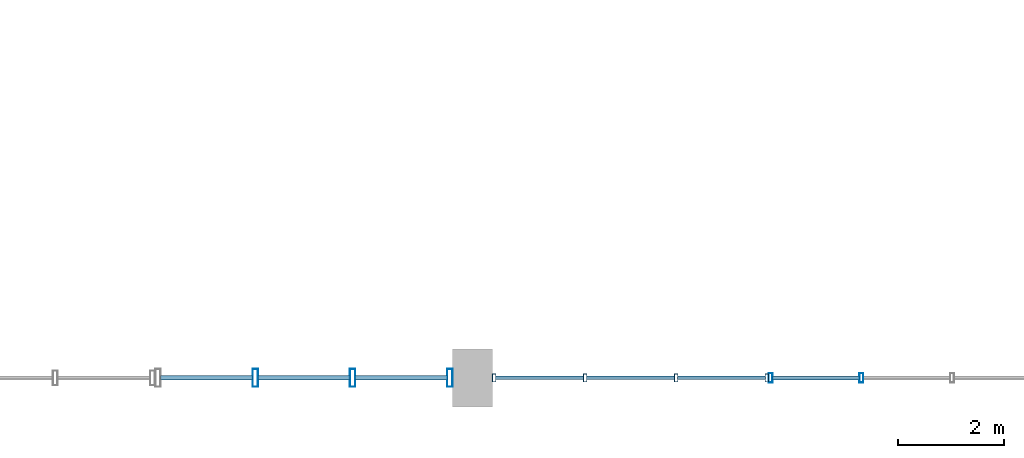
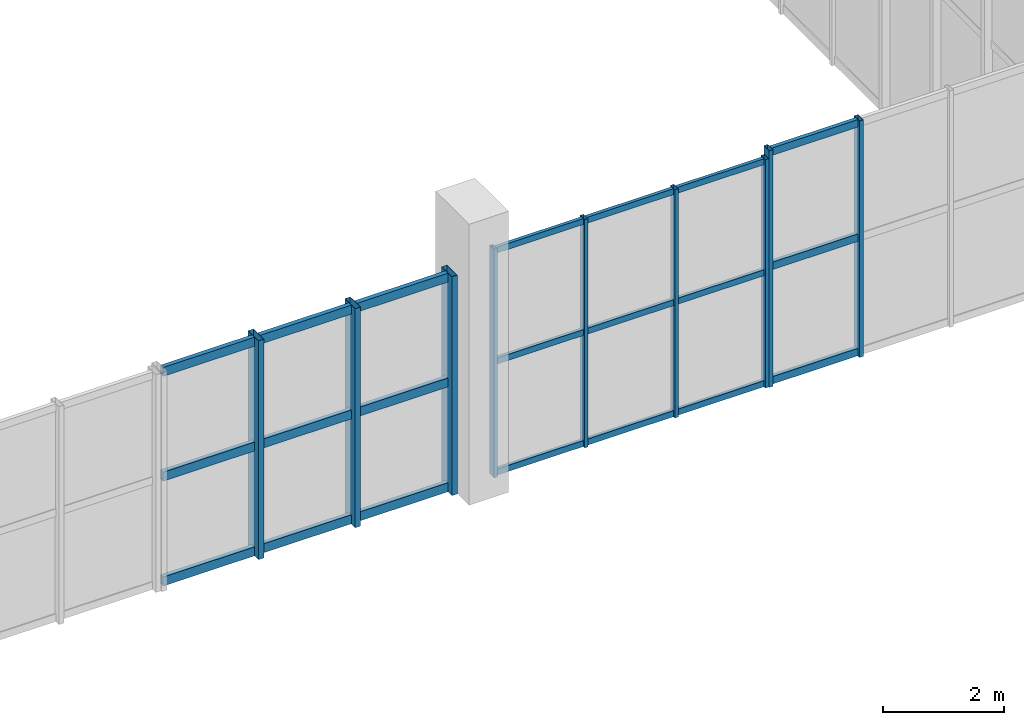
# One storey, part 10 of 28: 30 members, 3 elements without a shape of their own.
"""IFC4 building model written with IfcOpenShell, lengths in metres."""

from ifc_helpers import new_model, si_unit, direction, frame, origin, origin_2d, place, context, subcontext, project, spatial, hollow_rectangle, extrude, material, layer, layer_set, material_profile, profile_set, type_object, element, aggregate, save


model = new_model("IFC4")

# Units and contexts
model_context = context("Model", 3, precision=1e-05, world=origin(), true_north=direction((0.0, 1.0)))
body_context = subcontext(model_context, "Body", "Model", "MODEL_VIEW")
ifc_project = project(units=[si_unit("LENGTHUNIT", "METRE"), si_unit("AREAUNIT", "SQUARE_METRE"), si_unit("VOLUMEUNIT", "CUBIC_METRE"), si_unit("PLANEANGLEUNIT", "RADIAN"), si_unit("MASSUNIT", "GRAM", prefix="KILO"), si_unit("POWERUNIT", "WATT"), si_unit("THERMODYNAMICTEMPERATUREUNIT", "KELVIN")], contexts=[model_context])

# Site, building, storey
site_placement = place(None, origin())
site = spatial("IfcSite", under=ifc_project, at=site_placement, CompositionType="ELEMENT")
building_placement = place(site_placement, origin())
building = spatial("IfcBuilding", under=site, at=building_placement, Name="Kelmbourne Parkland Aquatics Centre", CompositionType="ELEMENT")
storey_placement = place(building_placement, frame((0.0, 0.0, 19.199951171875)))
storey = spatial("IfcBuildingStorey", under=building, at=storey_placement, Name="L04", CompositionType="ELEMENT", Elevation=19.199951171875)

# Curtain wall, members
ifc_material = material(Name="Thermally broken anodised aluminium framing", Category="aluminium")
ifc_layer_1 = layer(ifc_material, 0.179931640625)
ifc_layer_set_1 = layer_set([ifc_layer_1], Name="Thermally broken anodised aluminium framing")
curtain_wall_type_1 = type_object("IfcCurtainWallType", Name="CW-15", PredefinedType="NOTDEFINED", material=ifc_layer_set_1)
curtain_wall_1_placement = place(storey_placement, origin())
curtain_wall_1 = element("IfcCurtainWall", 1, at=curtain_wall_1_placement, inside=storey, type_object=curtain_wall_type_1, Name="Wave-hall clerestory curtain wall CW-L04-135", PredefinedType="NOTDEFINED")
ifc_material_profile_1 = material_profile(ifc_material, hollow_rectangle(XDim=0.06494140625, YDim=0.14990234375, WallThickness=0.00390625, at=origin_2d()), Name="CW-M 65x150")
ifc_profile_set_1 = profile_set([ifc_material_profile_1], Name="Thermally broken anodised aluminium framing")
member_type_1 = type_object("IfcMemberType", Name="MB-MUL-1", PredefinedType="MULLION", material=ifc_profile_set_1)
member_1_placement = place(storey_placement, frame((164.409423828125, 0.800048828125, 0.0), z_axis=(0.0, 0.0, 1.0), x_axis=(1.0, 0.0, 0.0)))
member_1 = element("IfcMember", 2, at=member_1_placement, type_object=member_type_1, Name="CW-L04-135 mullion 0", PredefinedType="MULLION", context=body_context, shape_type="SweptSolid", body=[
    extrude(hollow_rectangle(XDim=0.06494140625, YDim=0.14990234375, WallThickness=0.00390625, at=origin_2d()), origin(), (0.0, 0.0, 1.0), 4.589599609375),
])
member_2_placement = place(storey_placement, frame((166.12890625, 0.800048828125, 0.0), z_axis=(0.0, 0.0, 1.0), x_axis=(1.0, 0.0, 0.0)))
member_2 = element("IfcMember", 3, at=member_2_placement, type_object=member_type_1, Name="CW-L04-135 mullion 1", PredefinedType="MULLION", context=body_context, shape_type="SweptSolid", body=[
    extrude(hollow_rectangle(XDim=0.06494140625, YDim=0.14990234375, WallThickness=0.00390625, at=origin_2d()), origin(), (0.0, 0.0, 1.0), 4.589599609375),
])
member_3_placement = place(storey_placement, frame((167.84814453125, 0.800048828125, 0.0), z_axis=(0.0, 0.0, 1.0), x_axis=(1.0, 0.0, 0.0)))
member_3 = element("IfcMember", 4, at=member_3_placement, type_object=member_type_1, Name="CW-L04-135 mullion 2", PredefinedType="MULLION", context=body_context, shape_type="SweptSolid", body=[
    extrude(hollow_rectangle(XDim=0.06494140625, YDim=0.14990234375, WallThickness=0.00390625, at=origin_2d()), origin(), (0.0, 0.0, 1.0), 4.589599609375),
])
member_4_placement = place(storey_placement, frame((169.5673828125, 0.800048828125, 0.0), z_axis=(0.0, 0.0, 1.0), x_axis=(1.0, 0.0, 0.0)))
member_4 = element("IfcMember", 5, at=member_4_placement, type_object=member_type_1, Name="CW-L04-135 mullion 3", PredefinedType="MULLION", context=body_context, shape_type="SweptSolid", body=[
    extrude(hollow_rectangle(XDim=0.06494140625, YDim=0.14990234375, WallThickness=0.00390625, at=origin_2d()), origin(), (0.0, 0.0, 1.0), 4.589599609375),
])

ifc_layer_2 = layer(ifc_material, 0.179931640625)
ifc_layer_set_2 = layer_set([ifc_layer_2], Name="Thermally broken anodised aluminium framing")
curtain_wall_type_2 = type_object("IfcCurtainWallType", Name="CW-16", PredefinedType="NOTDEFINED", material=ifc_layer_set_2)
curtain_wall_2_placement = place(storey_placement, origin())
curtain_wall_2 = element("IfcCurtainWall", 6, at=curtain_wall_2_placement, inside=storey, type_object=curtain_wall_type_2, Name="Wave-hall clerestory curtain wall CW-L04-136", PredefinedType="NOTDEFINED")
ifc_material_profile_2 = material_profile(ifc_material, hollow_rectangle(XDim=0.074951171875, YDim=0.179931640625, WallThickness=0.00439453125, at=origin_2d()), Name="CW-M 75x180")
ifc_profile_set_2 = profile_set([ifc_material_profile_2], Name="Thermally broken anodised aluminium framing")
member_type_2 = type_object("IfcMemberType", Name="MB-MUL-2", PredefinedType="MULLION", material=ifc_profile_set_2)
member_5_placement = place(storey_placement, frame((169.637451171875, 0.800048828125, 0.0), z_axis=(0.0, 0.0, 1.0), x_axis=(1.0, 0.0, 0.0)))
member_5 = element("IfcMember", 7, at=member_5_placement, type_object=member_type_2, Name="CW-L04-136 mullion 0", PredefinedType="MULLION", context=body_context, shape_type="SweptSolid", body=[
    extrude(hollow_rectangle(XDim=0.074951171875, YDim=0.179931640625, WallThickness=0.00439453125, at=origin_2d()), origin(), (0.0, 0.0, 1.0), 4.7548828125),
])
member_6_placement = place(storey_placement, frame((171.353515625, 0.800048828125, 0.0), z_axis=(0.0, 0.0, 1.0), x_axis=(1.0, 0.0, 0.0)))
member_6 = element("IfcMember", 8, at=member_6_placement, type_object=member_type_2, Name="CW-L04-136 mullion 1", PredefinedType="MULLION", context=body_context, shape_type="SweptSolid", body=[
    extrude(hollow_rectangle(XDim=0.074951171875, YDim=0.179931640625, WallThickness=0.00439453125, at=origin_2d()), origin(), (0.0, 0.0, 1.0), 4.7548828125),
])

ifc_layer_3 = layer(ifc_material, 0.179931640625)
ifc_layer_set_3 = layer_set([ifc_layer_3], Name="Thermally broken anodised aluminium framing")
curtain_wall_type_3 = type_object("IfcCurtainWallType", Name="CW-14", PredefinedType="NOTDEFINED", material=ifc_layer_set_3)
curtain_wall_3_placement = place(storey_placement, origin())
curtain_wall_3 = element("IfcCurtainWall", 9, at=curtain_wall_3_placement, inside=storey, type_object=curtain_wall_type_3, Name="Wave-hall clerestory curtain wall CW-L04-134", PredefinedType="NOTDEFINED")
ifc_material_profile_3 = material_profile(ifc_material, hollow_rectangle(XDim=0.10498046875, YDim=0.340087890625, WallThickness=0.006103515625, at=origin_2d()), Name="CW-M 105x340")
ifc_profile_set_3 = profile_set([ifc_material_profile_3], Name="Thermally broken anodised aluminium framing")
member_type_3 = type_object("IfcMemberType", Name="MB-MUL-5", PredefinedType="MULLION", material=ifc_profile_set_3)
member_7_placement = place(storey_placement, frame((159.891845703125, 0.800048828125, 0.0), z_axis=(0.0, 0.0, 1.0), x_axis=(1.0, 0.0, 0.0)))
member_7 = element("IfcMember", 10, at=member_7_placement, type_object=member_type_3, Name="CW-L04-134 mullion 1", PredefinedType="MULLION", context=body_context, shape_type="SweptSolid", body=[
    extrude(hollow_rectangle(XDim=0.10498046875, YDim=0.340087890625, WallThickness=0.006103515625, at=origin_2d()), origin(), (0.0, 0.0, 1.0), 4.400634765625),
])
member_8_placement = place(storey_placement, frame((161.731201171875, 0.800048828125, 0.0), z_axis=(0.0, 0.0, 1.0), x_axis=(1.0, 0.0, 0.0)))
member_8 = element("IfcMember", 11, at=member_8_placement, type_object=member_type_3, Name="CW-L04-134 mullion 2", PredefinedType="MULLION", context=body_context, shape_type="SweptSolid", body=[
    extrude(hollow_rectangle(XDim=0.10498046875, YDim=0.340087890625, WallThickness=0.006103515625, at=origin_2d()), origin(), (0.0, 0.0, 1.0), 4.400634765625),
])
member_9_placement = place(storey_placement, frame((163.570556640625, 0.800048828125, 0.0), z_axis=(0.0, 0.0, 1.0), x_axis=(1.0, 0.0, 0.0)))
member_9 = element("IfcMember", 12, at=member_9_placement, type_object=member_type_3, Name="CW-L04-134 mullion 3", PredefinedType="MULLION", context=body_context, shape_type="SweptSolid", body=[
    extrude(hollow_rectangle(XDim=0.10498046875, YDim=0.340087890625, WallThickness=0.006103515625, at=origin_2d()), origin(), (0.0, 0.0, 1.0), 4.400634765625),
])

# Member
ifc_material_profile_4 = material_profile(ifc_material, hollow_rectangle(XDim=0.06494140625, YDim=0.1201171875, WallThickness=0.00341796875, at=origin_2d()), Name="CW-T 65x120")
ifc_profile_set_4 = profile_set([ifc_material_profile_4], Name="Thermally broken anodised aluminium framing")
member_type_4 = type_object("IfcMemberType", Name="MB-TRN-1", PredefinedType="USERDEFINED", material=ifc_profile_set_4)
member_10_placement = place(storey_placement, frame((164.43798828125, 0.800048828125, 0.06298828125), z_axis=(1.0, 0.0, 0.0), x_axis=(0.0, 1.0, 0.0)))
member_10 = element("IfcMember", 13, at=member_10_placement, type_object=member_type_4, Name="CW-L04-135 transom 0-0", ObjectType="TRANSOM", PredefinedType="USERDEFINED", context=body_context, shape_type="SweptSolid", body=[
    extrude(hollow_rectangle(XDim=0.06494140625, YDim=0.1201171875, WallThickness=0.00341796875, at=origin_2d()), origin(), (0.0, 0.0, 1.0), 1.662353515625),
])

member_11_placement = place(storey_placement, frame((166.1572265625, 0.800048828125, 0.06298828125), z_axis=(1.0, 0.0, 0.0), x_axis=(0.0, 1.0, 0.0)))
member_11 = element("IfcMember", 14, at=member_11_placement, type_object=member_type_4, Name="CW-L04-135 transom 0-1", ObjectType="TRANSOM", PredefinedType="USERDEFINED", context=body_context, shape_type="SweptSolid", body=[
    extrude(hollow_rectangle(XDim=0.06494140625, YDim=0.1201171875, WallThickness=0.00341796875, at=origin_2d()), origin(), (0.0, 0.0, 1.0), 1.662353515625),
])

member_12_placement = place(storey_placement, frame((167.876708984375, 0.800048828125, 0.06298828125), z_axis=(1.0, 0.0, 0.0), x_axis=(0.0, 1.0, 0.0)))
member_12 = element("IfcMember", 15, at=member_12_placement, type_object=member_type_4, Name="CW-L04-135 transom 0-2", ObjectType="TRANSOM", PredefinedType="USERDEFINED", context=body_context, shape_type="SweptSolid", body=[
    extrude(hollow_rectangle(XDim=0.06494140625, YDim=0.1201171875, WallThickness=0.00341796875, at=origin_2d()), origin(), (0.0, 0.0, 1.0), 1.662353515625),
])

member_13_placement = place(storey_placement, frame((164.43798828125, 0.800048828125, 2.294677734375), z_axis=(1.0, 0.0, 0.0), x_axis=(0.0, 1.0, 0.0)))
member_13 = element("IfcMember", 16, at=member_13_placement, type_object=member_type_4, Name="CW-L04-135 transom 1-0", ObjectType="TRANSOM", PredefinedType="USERDEFINED", context=body_context, shape_type="SweptSolid", body=[
    extrude(hollow_rectangle(XDim=0.06494140625, YDim=0.1201171875, WallThickness=0.00341796875, at=origin_2d()), origin(), (0.0, 0.0, 1.0), 1.662353515625),
])

member_14_placement = place(storey_placement, frame((166.1572265625, 0.800048828125, 2.294677734375), z_axis=(1.0, 0.0, 0.0), x_axis=(0.0, 1.0, 0.0)))
member_14 = element("IfcMember", 17, at=member_14_placement, type_object=member_type_4, Name="CW-L04-135 transom 1-1", ObjectType="TRANSOM", PredefinedType="USERDEFINED", context=body_context, shape_type="SweptSolid", body=[
    extrude(hollow_rectangle(XDim=0.06494140625, YDim=0.1201171875, WallThickness=0.00341796875, at=origin_2d()), origin(), (0.0, 0.0, 1.0), 1.662353515625),
])

member_15_placement = place(storey_placement, frame((167.876708984375, 0.800048828125, 2.294677734375), z_axis=(1.0, 0.0, 0.0), x_axis=(0.0, 1.0, 0.0)))
member_15 = element("IfcMember", 18, at=member_15_placement, type_object=member_type_4, Name="CW-L04-135 transom 1-2", ObjectType="TRANSOM", PredefinedType="USERDEFINED", context=body_context, shape_type="SweptSolid", body=[
    extrude(hollow_rectangle(XDim=0.06494140625, YDim=0.1201171875, WallThickness=0.00341796875, at=origin_2d()), origin(), (0.0, 0.0, 1.0), 1.662353515625),
])

member_16_placement = place(storey_placement, frame((164.43798828125, 0.800048828125, 4.526611328125), z_axis=(1.0, 0.0, 0.0), x_axis=(0.0, 1.0, 0.0)))
member_16 = element("IfcMember", 19, at=member_16_placement, type_object=member_type_4, Name="CW-L04-135 transom 2-0", ObjectType="TRANSOM", PredefinedType="USERDEFINED", context=body_context, shape_type="SweptSolid", body=[
    extrude(hollow_rectangle(XDim=0.06494140625, YDim=0.1201171875, WallThickness=0.00341796875, at=origin_2d()), origin(), (0.0, 0.0, 1.0), 1.662353515625),
])

member_17_placement = place(storey_placement, frame((166.1572265625, 0.800048828125, 4.526611328125), z_axis=(1.0, 0.0, 0.0), x_axis=(0.0, 1.0, 0.0)))
member_17 = element("IfcMember", 20, at=member_17_placement, type_object=member_type_4, Name="CW-L04-135 transom 2-1", ObjectType="TRANSOM", PredefinedType="USERDEFINED", context=body_context, shape_type="SweptSolid", body=[
    extrude(hollow_rectangle(XDim=0.06494140625, YDim=0.1201171875, WallThickness=0.00341796875, at=origin_2d()), origin(), (0.0, 0.0, 1.0), 1.662353515625),
])

member_18_placement = place(storey_placement, frame((167.876708984375, 0.800048828125, 4.526611328125), z_axis=(1.0, 0.0, 0.0), x_axis=(0.0, 1.0, 0.0)))
member_18 = element("IfcMember", 21, at=member_18_placement, type_object=member_type_4, Name="CW-L04-135 transom 2-2", ObjectType="TRANSOM", PredefinedType="USERDEFINED", context=body_context, shape_type="SweptSolid", body=[
    extrude(hollow_rectangle(XDim=0.06494140625, YDim=0.1201171875, WallThickness=0.00341796875, at=origin_2d()), origin(), (0.0, 0.0, 1.0), 1.662353515625),
])

aggregate(curtain_wall_1, [member_1, member_2, member_3, member_4, member_10, member_11, member_12, member_13, member_14, member_15, member_16, member_17, member_18])

ifc_material_profile_5 = material_profile(ifc_material, hollow_rectangle(XDim=0.074951171875, YDim=0.14990234375, WallThickness=0.00390625, at=origin_2d()), Name="CW-T 75x150")
ifc_profile_set_5 = profile_set([ifc_material_profile_5], Name="Thermally broken anodised aluminium framing")
member_type_5 = type_object("IfcMemberType", Name="MB-TRN-2", PredefinedType="USERDEFINED", material=ifc_profile_set_5)
member_19_placement = place(storey_placement, frame((169.6708984375, 0.800048828125, 0.078125), z_axis=(1.0, 0.0, 0.0), x_axis=(0.0, 1.0, 0.0)))
member_19 = element("IfcMember", 22, at=member_19_placement, type_object=member_type_5, Name="CW-L04-136 transom 0-0", ObjectType="TRANSOM", PredefinedType="USERDEFINED", context=body_context, shape_type="SweptSolid", body=[
    extrude(hollow_rectangle(XDim=0.074951171875, YDim=0.14990234375, WallThickness=0.00390625, at=origin_2d()), origin(), (0.0, 0.0, 1.0), 1.649169921875),
])

member_20_placement = place(storey_placement, frame((169.6708984375, 0.800048828125, 2.37744140625), z_axis=(1.0, 0.0, 0.0), x_axis=(0.0, 1.0, 0.0)))
member_20 = element("IfcMember", 23, at=member_20_placement, type_object=member_type_5, Name="CW-L04-136 transom 1-0", ObjectType="TRANSOM", PredefinedType="USERDEFINED", context=body_context, shape_type="SweptSolid", body=[
    extrude(hollow_rectangle(XDim=0.074951171875, YDim=0.14990234375, WallThickness=0.00390625, at=origin_2d()), origin(), (0.0, 0.0, 1.0), 1.649169921875),
])

member_21_placement = place(storey_placement, frame((169.6708984375, 0.800048828125, 4.6767578125), z_axis=(1.0, 0.0, 0.0), x_axis=(0.0, 1.0, 0.0)))
member_21 = element("IfcMember", 24, at=member_21_placement, type_object=member_type_5, Name="CW-L04-136 transom 2-0", ObjectType="TRANSOM", PredefinedType="USERDEFINED", context=body_context, shape_type="SweptSolid", body=[
    extrude(hollow_rectangle(XDim=0.074951171875, YDim=0.14990234375, WallThickness=0.00390625, at=origin_2d()), origin(), (0.0, 0.0, 1.0), 1.649169921875),
])

aggregate(curtain_wall_2, [member_5, member_6, member_19, member_20, member_21])

ifc_material_profile_6 = material_profile(ifc_material, hollow_rectangle(XDim=0.0849609375, YDim=0.179931640625, WallThickness=0.00439453125, at=origin_2d()), Name="CW-T 85x180")
ifc_profile_set_6 = profile_set([ifc_material_profile_6], Name="Thermally broken anodised aluminium framing")
member_type_6 = type_object("IfcMemberType", Name="MB-TRN-3", PredefinedType="USERDEFINED", material=ifc_profile_set_6)
member_22_placement = place(storey_placement, frame((158.10107421875, 0.800048828125, 0.093017578125), z_axis=(1.0, 0.0, 0.0), x_axis=(0.0, 1.0, 0.0)))
member_22 = element("IfcMember", 25, at=member_22_placement, type_object=member_type_6, Name="CW-L04-134 transom 0-0", ObjectType="TRANSOM", PredefinedType="USERDEFINED", context=body_context, shape_type="SweptSolid", body=[
    extrude(hollow_rectangle(XDim=0.0849609375, YDim=0.179931640625, WallThickness=0.00439453125, at=origin_2d()), origin(), (0.0, 0.0, 1.0), 1.7421875),
])

member_23_placement = place(storey_placement, frame((159.940185546875, 0.800048828125, 0.093017578125), z_axis=(1.0, 0.0, 0.0), x_axis=(0.0, 1.0, 0.0)))
member_23 = element("IfcMember", 26, at=member_23_placement, type_object=member_type_6, Name="CW-L04-134 transom 0-1", ObjectType="TRANSOM", PredefinedType="USERDEFINED", context=body_context, shape_type="SweptSolid", body=[
    extrude(hollow_rectangle(XDim=0.0849609375, YDim=0.179931640625, WallThickness=0.00439453125, at=origin_2d()), origin(), (0.0, 0.0, 1.0), 1.742431640625),
])

member_24_placement = place(storey_placement, frame((161.77978515625, 0.800048828125, 0.093017578125), z_axis=(1.0, 0.0, 0.0), x_axis=(0.0, 1.0, 0.0)))
member_24 = element("IfcMember", 27, at=member_24_placement, type_object=member_type_6, Name="CW-L04-134 transom 0-2", ObjectType="TRANSOM", PredefinedType="USERDEFINED", context=body_context, shape_type="SweptSolid", body=[
    extrude(hollow_rectangle(XDim=0.0849609375, YDim=0.179931640625, WallThickness=0.00439453125, at=origin_2d()), origin(), (0.0, 0.0, 1.0), 1.7421875),
])

member_25_placement = place(storey_placement, frame((158.10107421875, 0.800048828125, 2.200439453125), z_axis=(1.0, 0.0, 0.0), x_axis=(0.0, 1.0, 0.0)))
member_25 = element("IfcMember", 28, at=member_25_placement, type_object=member_type_6, Name="CW-L04-134 transom 1-0", ObjectType="TRANSOM", PredefinedType="USERDEFINED", context=body_context, shape_type="SweptSolid", body=[
    extrude(hollow_rectangle(XDim=0.0849609375, YDim=0.179931640625, WallThickness=0.00439453125, at=origin_2d()), origin(), (0.0, 0.0, 1.0), 1.7421875),
])

member_26_placement = place(storey_placement, frame((159.940185546875, 0.800048828125, 2.200439453125), z_axis=(1.0, 0.0, 0.0), x_axis=(0.0, 1.0, 0.0)))
member_26 = element("IfcMember", 29, at=member_26_placement, type_object=member_type_6, Name="CW-L04-134 transom 1-1", ObjectType="TRANSOM", PredefinedType="USERDEFINED", context=body_context, shape_type="SweptSolid", body=[
    extrude(hollow_rectangle(XDim=0.0849609375, YDim=0.179931640625, WallThickness=0.00439453125, at=origin_2d()), origin(), (0.0, 0.0, 1.0), 1.742431640625),
])

member_27_placement = place(storey_placement, frame((161.77978515625, 0.800048828125, 2.200439453125), z_axis=(1.0, 0.0, 0.0), x_axis=(0.0, 1.0, 0.0)))
member_27 = element("IfcMember", 30, at=member_27_placement, type_object=member_type_6, Name="CW-L04-134 transom 1-2", ObjectType="TRANSOM", PredefinedType="USERDEFINED", context=body_context, shape_type="SweptSolid", body=[
    extrude(hollow_rectangle(XDim=0.0849609375, YDim=0.179931640625, WallThickness=0.00439453125, at=origin_2d()), origin(), (0.0, 0.0, 1.0), 1.7421875),
])

member_28_placement = place(storey_placement, frame((158.10107421875, 0.800048828125, 4.3076171875), z_axis=(1.0, 0.0, 0.0), x_axis=(0.0, 1.0, 0.0)))
member_28 = element("IfcMember", 31, at=member_28_placement, type_object=member_type_6, Name="CW-L04-134 transom 2-0", ObjectType="TRANSOM", PredefinedType="USERDEFINED", context=body_context, shape_type="SweptSolid", body=[
    extrude(hollow_rectangle(XDim=0.0849609375, YDim=0.179931640625, WallThickness=0.00439453125, at=origin_2d()), origin(), (0.0, 0.0, 1.0), 1.7421875),
])

member_29_placement = place(storey_placement, frame((159.940185546875, 0.800048828125, 4.3076171875), z_axis=(1.0, 0.0, 0.0), x_axis=(0.0, 1.0, 0.0)))
member_29 = element("IfcMember", 32, at=member_29_placement, type_object=member_type_6, Name="CW-L04-134 transom 2-1", ObjectType="TRANSOM", PredefinedType="USERDEFINED", context=body_context, shape_type="SweptSolid", body=[
    extrude(hollow_rectangle(XDim=0.0849609375, YDim=0.179931640625, WallThickness=0.00439453125, at=origin_2d()), origin(), (0.0, 0.0, 1.0), 1.742431640625),
])

member_30_placement = place(storey_placement, frame((161.77978515625, 0.800048828125, 4.3076171875), z_axis=(1.0, 0.0, 0.0), x_axis=(0.0, 1.0, 0.0)))
member_30 = element("IfcMember", 33, at=member_30_placement, type_object=member_type_6, Name="CW-L04-134 transom 2-2", ObjectType="TRANSOM", PredefinedType="USERDEFINED", context=body_context, shape_type="SweptSolid", body=[
    extrude(hollow_rectangle(XDim=0.0849609375, YDim=0.179931640625, WallThickness=0.00439453125, at=origin_2d()), origin(), (0.0, 0.0, 1.0), 1.7421875),
])

aggregate(curtain_wall_3, [member_7, member_8, member_9, member_22, member_23, member_24, member_25, member_26, member_27, member_28, member_29, member_30])

save(model, "model.ifc")
